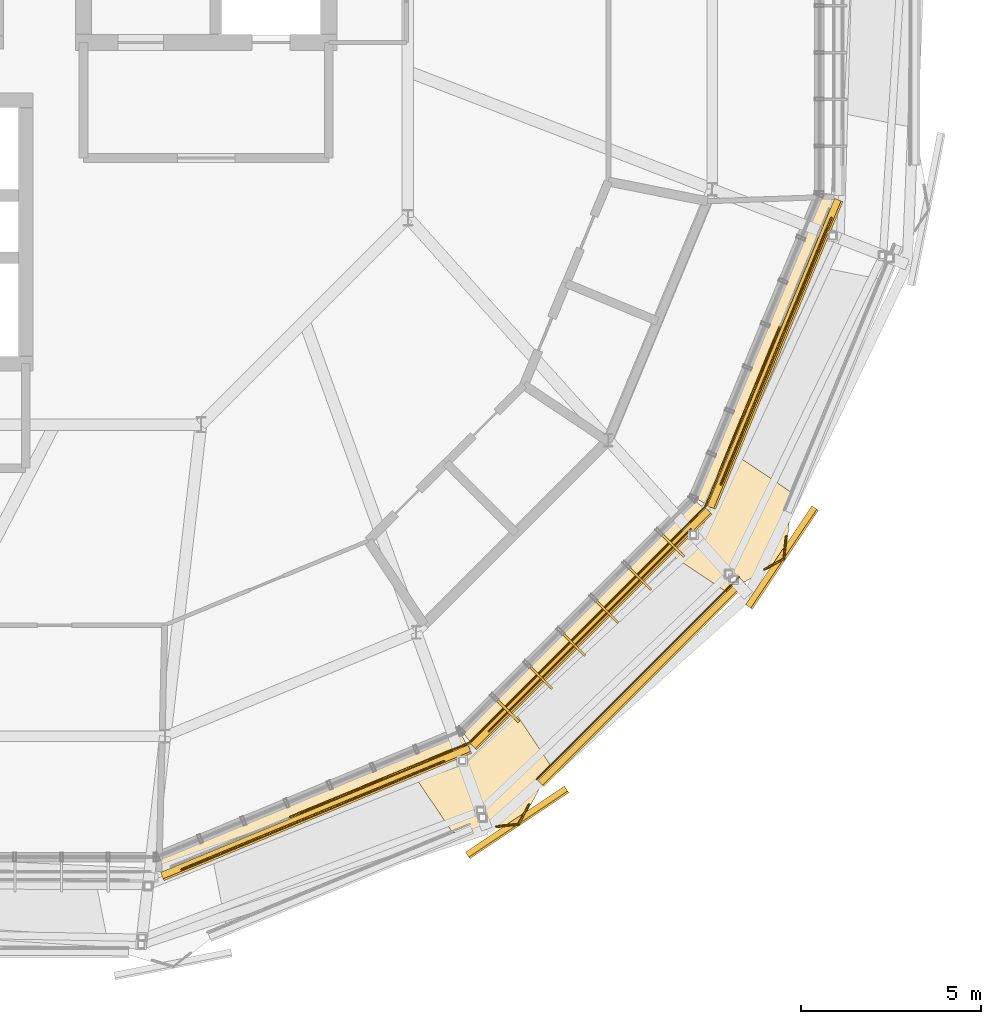
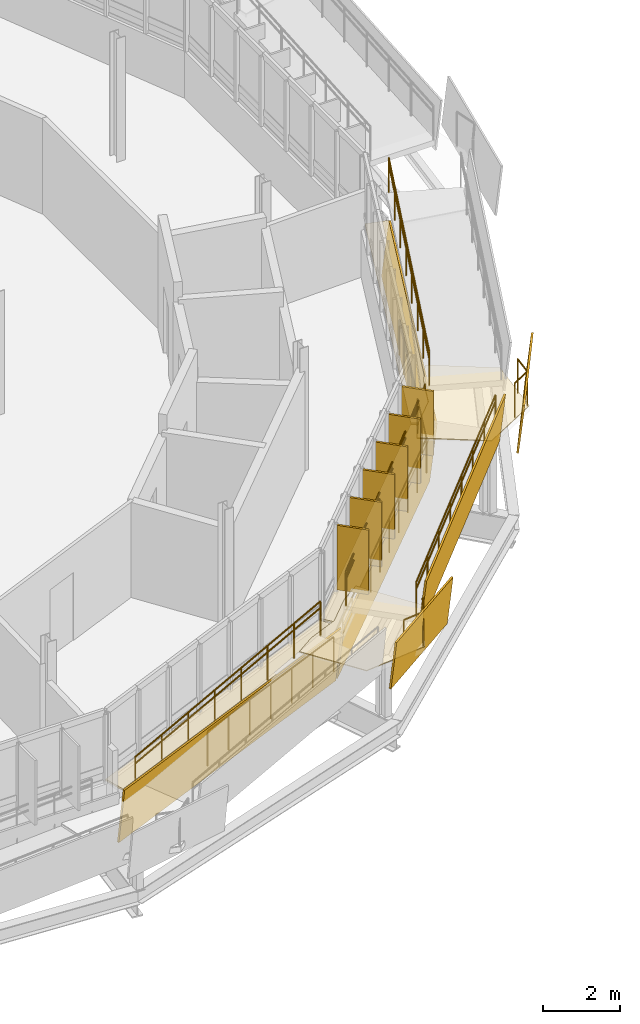
# One storey, part 34 of 38: 23 railings, 11 coverings, 6 shading devices.
"""IFC4 building model written with IfcOpenShell, lengths in metres."""

import ifcopenshell
import ifcopenshell.guid

model = None  # the IFC model being written
_history = None  # IfcOwnerHistory: only IFC2X3 demands one
_inside = {}  # id of a spatial element -> (the spatial element, [elements in it])
_under = {}  # id of a project, library or spatial element -> (it, [spatial elements below it])
_declared = {}  # id of a project -> (the project, [libraries it declares])
_typed = {}  # id of a type object -> (the type object, [elements of that type])
_made_of = {}  # id of a material, layer set ... -> (it, [elements and type objects made of it])


def new_model(schema):
    """Start an empty IFC model of exactly this schema.

    Asked for "IFC4X3", IfcOpenShell would pick the latest addendum, in which some entities
    have other attributes; the version numbers below select the first issue.
    IFC2X3 requires an IfcOwnerHistory on every rooted entity: one is made here for all.
    """
    global model, _history
    if schema == "IFC4X3":
        model = ifcopenshell.file(schema_version=(4, 3, 0, 0))
    else:
        model = ifcopenshell.file(schema=schema)
    _inside.clear()
    _under.clear()
    _declared.clear()
    _typed.clear()
    _made_of.clear()
    _history = None
    if model.schema == "IFC2X3":
        org = make("IfcOrganization", Name="unknown")
        user = make(
            "IfcPersonAndOrganization",
            ThePerson=make("IfcPerson", FamilyName="unknown"),
            TheOrganization=org,
        )
        app = make(
            "IfcApplication",
            ApplicationDeveloper=org,
            Version="unknown",
            ApplicationFullName="unknown",
            ApplicationIdentifier="unknown",
        )
        _history = make(
            "IfcOwnerHistory",
            OwningUser=user,
            OwningApplication=app,
            ChangeAction="ADDED",
            CreationDate=0,
        )
    return model


def make(cls, **values):
    """One entity of the class cls with the attributes given. An attribute that is None is left unset."""
    return model.create_entity(
        cls, **{name: value for name, value in values.items() if value is not None}
    )


def rooted(cls, **values):
    """An entity with a GlobalId (a new one), such as an element, a storey or a relation."""
    return make(cls, GlobalId=ifcopenshell.guid.new(), OwnerHistory=_history, **values)


def si_unit(unit_type, name, prefix=None):
    """IfcSIUnit, for example si_unit("LENGTHUNIT", "METRE", prefix="MILLI")."""
    return make("IfcSIUnit", UnitType=unit_type, Prefix=prefix, Name=name)


def derived_unit(unit_type, elements):
    """IfcDerivedUnit: a product of units, each with its exponent."""
    return make(
        "IfcDerivedUnit",
        Elements=[
            make("IfcDerivedUnitElement", Unit=unit, Exponent=power)
            for unit, power in elements
        ],
        UnitType=unit_type,
    )


def assignment(units):
    """IfcUnitAssignment: the units of a project."""
    return None if units is None else make("IfcUnitAssignment", Units=units)


def point(xyz):
    """IfcCartesianPoint."""
    return None if xyz is None else make("IfcCartesianPoint", Coordinates=xyz)


def direction(xyz):
    """IfcDirection."""
    return None if xyz is None else make("IfcDirection", DirectionRatios=xyz)


def frame(location, z_axis=None, x_axis=None):
    """IfcAxis2Placement3D, a coordinate frame: its origin and axes. An axis left out is left unset."""
    return make(
        "IfcAxis2Placement3D",
        Location=point(location),
        Axis=direction(z_axis),
        RefDirection=direction(x_axis),
    )


def frame_2d(location, x_axis=None):
    """IfcAxis2Placement2D, a coordinate frame in the plane: its origin and x axis."""
    return make(
        "IfcAxis2Placement2D", Location=point(location), RefDirection=direction(x_axis)
    )


def origin():
    """The frame at (0, 0, 0) with its axes left unset."""
    return frame((0.0, 0.0, 0.0))


def origin_2d():
    """The frame at (0, 0) in the plane with its x axis left unset."""
    return frame_2d((0.0, 0.0))


def place(relative_to, where):
    """IfcLocalPlacement: puts the frame where relative to a parent placement (None: the world)."""
    return make(
        "IfcLocalPlacement", PlacementRelTo=relative_to, RelativePlacement=where
    )


def context(
    kind, dimensions, precision=None, world=None, true_north=None, identifier=None
):
    """IfcGeometricRepresentationContext, for example the 3D "Model" context."""
    return make(
        "IfcGeometricRepresentationContext",
        ContextIdentifier=identifier,
        ContextType=kind,
        CoordinateSpaceDimension=dimensions,
        Precision=precision,
        WorldCoordinateSystem=world,
        TrueNorth=true_north,
    )


def subcontext(parent, identifier, kind, view, scale=None):
    """IfcGeometricRepresentationSubContext, for example "Body" below "Model"."""
    return make(
        "IfcGeometricRepresentationSubContext",
        ContextIdentifier=identifier,
        ContextType=kind,
        ParentContext=parent,
        TargetScale=scale,
        TargetView=view,
    )


def project(units=None, contexts=None):
    """IfcProject with its units and contexts."""
    return rooted(
        "IfcProject",
        Name="project",
        RepresentationContexts=contexts,
        UnitsInContext=assignment(units),
    )


def spatial(cls, under=None, at=None, **own):
    """A site, building, storey or space (cls), placed at a placement, below another one or the project."""
    s = rooted(cls, ObjectPlacement=at, **own)
    if under is not None:
        _under.setdefault(under.id(), (under, []))[1].append(s)
    return s


def polyline(points):
    """IfcPolyline through the points."""
    return make("IfcPolyline", Points=[point(p) for p in points])


def profile(cls, at=None, kind="AREA", **sizes):
    """A parametric profile (cls). Its sizes go by their IFC names, for example OverallWidth=200.0."""
    return make(cls, ProfileType=kind, Position=at, **sizes)


def rectangle(**sizes):
    """IfcRectangleProfileDef."""
    return profile("IfcRectangleProfileDef", **sizes)


def circle(**sizes):
    """IfcCircleProfileDef."""
    return profile("IfcCircleProfileDef", **sizes)


def outline(outer, holes=None, kind="AREA"):
    """IfcArbitraryClosedProfileDef: a profile drawn as a closed curve; with holes, ...WithVoids."""
    if holes is None:
        return make("IfcArbitraryClosedProfileDef", ProfileType=kind, OuterCurve=outer)
    return make(
        "IfcArbitraryProfileDefWithVoids",
        ProfileType=kind,
        OuterCurve=outer,
        InnerCurves=holes,
    )


def extrude(swept, where, along, depth):
    """IfcExtrudedAreaSolid: the profile swept, set in the frame where, extruded along a direction by depth."""
    return make(
        "IfcExtrudedAreaSolid",
        SweptArea=swept,
        Position=where,
        ExtrudedDirection=direction(along),
        Depth=depth,
    )


def shape(context_of_items, identifier, shape_type, items):
    """IfcShapeRepresentation: the items that make up one representation, for example the "Body"."""
    return make(
        "IfcShapeRepresentation",
        ContextOfItems=context_of_items,
        RepresentationIdentifier=identifier,
        RepresentationType=shape_type,
        Items=items,
    )


def material(Name=None, Category=None):
    """IfcMaterial."""
    return make("IfcMaterial", Name=Name, Category=Category)


def layer(
    of_material, thickness, ventilated=None, Name=None, Category=None, Priority=None
):
    """IfcMaterialLayer: one layer of a wall or slab, of a material (None: an air gap)."""
    return make(
        "IfcMaterialLayer",
        Material=of_material,
        LayerThickness=thickness,
        IsVentilated=ventilated,
        Name=Name,
        Category=Category,
        Priority=Priority,
    )


def layer_set(layers, Name=None):
    """IfcMaterialLayerSet."""
    return make("IfcMaterialLayerSet", MaterialLayers=layers, LayerSetName=Name)


def made_of(thing, what):
    """Note that an element or type object is made of a material, layer set ...; save() writes the relation."""
    if what is not None:
        _made_of.setdefault(what.id(), (what, []))[1].append(thing)
    return thing


def type_object(cls, material=None, **own):
    """A type object (cls), such as IfcWallType, which elements share."""
    return made_of(rooted(cls, **own), material)


def element(
    cls,
    number,
    at=None,
    inside=None,
    cuts=None,
    type_object=None,
    material=None,
    context=None,
    identifier="Body",
    shape_type=None,
    held_by="IfcProductDefinitionShape",
    body=None,
    shapes=None,
    **own,
):
    """One element of the class cls, such as IfcWall. Its Tag is "e" and its number.

    at: its placement. inside: the storey or other place that contains it. cuts: it is an
    opening in that element (IfcRelVoidsElement). A single representation is given by context,
    identifier, shape_type and body (its items); several are given by shapes. held_by: the class
    of the entity that holds the representations. save() writes the other relations.
    """
    e = rooted(cls, Tag="e%d" % number, ObjectPlacement=at, **own)
    if body is not None:
        shapes = [shape(context, identifier, shape_type, body)]
    if shapes is not None:
        e.Representation = make(held_by, Representations=shapes)
    if inside is not None:
        _inside.setdefault(inside.id(), (inside, []))[1].append(e)
    if cuts is not None:
        rooted(
            "IfcRelVoidsElement", RelatingBuildingElement=cuts, RelatedOpeningElement=e
        )
    if type_object is not None:
        _typed.setdefault(type_object.id(), (type_object, []))[1].append(e)
    return made_of(e, material)


def aggregate(whole, parts):
    """IfcRelAggregates: a whole, such as a stair, and the parts it consists of."""
    return rooted("IfcRelAggregates", RelatingObject=whole, RelatedObjects=parts)


def save(model, path):
    """Write the relations noted so far, then the file.

    IfcRelAggregates (storeys below a building ...), IfcRelContainedInSpatialStructure (elements
    in a storey), IfcRelDefinesByType, IfcRelAssociatesMaterial and IfcRelDeclares: one each for
    every whole, place, type object, material and project.
    """
    for whole, parts in _under.values():
        aggregate(whole, parts)
    for where, things in _inside.values():
        rooted(
            "IfcRelContainedInSpatialStructure",
            RelatedElements=things,
            RelatingStructure=where,
        )
    for kind, things in _typed.values():
        rooted("IfcRelDefinesByType", RelatedObjects=things, RelatingType=kind)
    for what, things in _made_of.values():
        rooted("IfcRelAssociatesMaterial", RelatedObjects=things, RelatingMaterial=what)
    for by, libraries in _declared.values():
        rooted("IfcRelDeclares", RelatingContext=by, RelatedDefinitions=libraries)
    model.write(path)


model = new_model("IFC4")

# Units and contexts
model_context = context("Model", 3, precision=1e-05, world=origin(), true_north=direction((0.0, 1.0)))
body_context = subcontext(model_context, "Body", "Model", "MODEL_VIEW")
ifc_project = project(units=[si_unit("LENGTHUNIT", "METRE"), si_unit("AREAUNIT", "SQUARE_METRE"), si_unit("VOLUMEUNIT", "CUBIC_METRE"), si_unit("PLANEANGLEUNIT", "RADIAN"), si_unit("MASSUNIT", "GRAM", prefix="KILO"), derived_unit("THERMALTRANSMITTANCEUNIT", [(si_unit("MASSUNIT", "GRAM", prefix="KILO"), 1), (si_unit("TIMEUNIT", "SECOND"), -3), (si_unit("THERMODYNAMICTEMPERATUREUNIT", "KELVIN"), -1)])], contexts=[model_context])

# Site, building, storey
site_placement = place(None, origin())
site = spatial("IfcSite", under=ifc_project, at=site_placement, CompositionType="ELEMENT")
building_placement = place(site_placement, origin())
building = spatial("IfcBuilding", under=site, at=building_placement, Name="Makaiwela Harbour Ferry Terminal", CompositionType="ELEMENT")
storey_placement = place(building_placement, frame((0.0, 0.0, 17.699951171875)))
storey = spatial("IfcBuildingStorey", under=building, at=storey_placement, Name="L04", CompositionType="ELEMENT", Elevation=17.699951171875)

# Coverings
ifc_material_1 = material(Name="White glazed marine ceramic rainscreen tile", Category="masonry")
ifc_layer_1 = layer(ifc_material_1, 0.054931640625)
ifc_layer_set_1 = layer_set([ifc_layer_1], Name="White glazed marine ceramic rainscreen tile")
covering_type_1 = type_object("IfcCoveringType", Name="ENV-CLD-CERAMIC", PredefinedType="CLADDING", material=ifc_layer_set_1)
covering_1_placement = place(storey_placement, frame((40.739013671875, 45.3955078125, -0.219970703125), z_axis=(-0.380383324546, 0.918373003577, 0.109085070968), x_axis=(0.923886450321, 0.382666730862, 1.874552e-06)))
element("IfcCovering", 1, at=covering_1_placement, inside=storey, type_object=covering_type_1, Name="Ceramic Spandrel Facet CLD-0119", PredefinedType="CLADDING", context=body_context, shape_type="SweptSolid", body=[
    extrude(outline(polyline([(0.0, 0.0), (9.225832170005638, 5.551115123125783e-17), (9.225824852841562, -1.7504187079172469), (0.0001248165564947762, -1.7504535039226186), (0.0, 0.0)])), origin(), (0.0, 0.0, -1.0), 0.054931640625),
])
covering_2_placement = place(storey_placement, frame((0.0, 0.0, 1.47998046875)))
element("IfcCovering", 2, at=covering_2_placement, inside=storey, type_object=covering_type_1, Name="Ceramic Ring Sill Cap CLD-0120", PredefinedType="CLADDING", context=body_context, shape_type="SweptSolid", body=[
    extrude(outline(polyline([(40.812255859375, 45.218994140625), (49.335693359375, 48.74951171875), (49.022705078125, 49.302001953125), (40.642822265625, 45.8310546875), (40.812255859375, 45.218994140625)])), origin(), (0.0, 0.0, 1.0), 0.05517578125),
])
covering_3_placement = place(storey_placement, frame((49.327392578125, 48.968994140625, -0.219970703125), z_axis=(-0.702890462548, 0.70287731015, 0.109126003021), x_axis=(0.707100086661, 0.707113475648, -1.014907e-06)))
element("IfcCovering", 3, at=covering_3_placement, inside=storey, type_object=covering_type_1, Name="Ceramic Spandrel Facet CLD-0121", PredefinedType="CLADDING", context=body_context, shape_type="SweptSolid", body=[
    extrude(outline(polyline([(0.0, 0.0), (9.225706420500924, 0.0), (9.22587547878554, -1.7504534371835403), (-3.5735724779390495e-06, -1.750434598028112), (0.0, 0.0)])), origin(), (0.0, 0.0, -1.0), 0.054931640625),
])
covering_4_placement = place(storey_placement, frame((0.0, 0.0, 1.47998046875)))
element("IfcCovering", 4, at=covering_4_placement, inside=storey, type_object=covering_type_1, Name="Ceramic Ring Sill Cap CLD-0122", PredefinedType="CLADDING", context=body_context, shape_type="SweptSolid", body=[
    extrude(outline(polyline([(49.46240234375, 48.833984375), (55.986083984375, 55.357666015625), (55.485107421875, 55.74853515625), (49.071533203125, 49.334716796875), (49.46240234375, 48.833984375)])), origin(), (0.0, 0.0, 1.0), 0.05517578125),
])
covering_5_placement = place(storey_placement, frame((55.89404296875, 55.557373046875, -0.219970703125), z_axis=(-0.918361897216, 0.38039187671, 0.109148732814), x_axis=(0.382678270485, 0.923881670615, 5.49365e-07)))
element("IfcCovering", 5, at=covering_5_placement, inside=storey, type_object=covering_type_1, Name="Ceramic Spandrel Facet CLD-0123", PredefinedType="CLADDING", context=body_context, shape_type="SweptSolid", body=[
    extrude(outline(polyline([(0.0, 0.0), (9.225700037596049, 5.551115123125783e-17), (9.225807382656594, -1.7504433133488209), (-0.00011821198794443429, -1.7504535109447228), (0.0, 0.0)])), origin(), (0.0, 0.0, -1.0), 0.054931640625),
])
covering_6_placement = place(storey_placement, frame((0.0, 0.0, 1.47998046875)))
element("IfcCovering", 6, at=covering_6_placement, inside=storey, type_object=covering_type_1, Name="Ceramic Ring Sill Cap CLD-0124", PredefinedType="CLADDING", context=body_context, shape_type="SweptSolid", body=[
    extrude(outline(polyline([(56.070556640625, 55.484130859375), (59.60107421875, 64.0078125), (58.989013671875, 64.17724609375), (55.517822265625, 55.79736328125), (56.070556640625, 55.484130859375)])), origin(), (0.0, 0.0, 1.0), 0.05517578125),
])
covering_7_placement = place(storey_placement, frame((49.188720703125, 45.95751953125, 1.33154296875), z_axis=(-0.552168962914, 0.826451854334, 0.109939842012), x_axis=(0.831492157641, 0.555536490055, 0.0)))
element("IfcCovering", 7, at=covering_7_placement, inside=storey, type_object=covering_type_1, Name="Coiled Ramp Ceramic Fascia CLD-R0066", PredefinedType="CLADDING", context=body_context, shape_type="SweptSolid", body=[
    extrude(outline(polyline([(0.0, 0.0), (3.29996676356022, 0.0), (3.2997977194726817, -1.529289713692023), (-0.0001690440875383309, -1.529289713692023), (0.0, 0.0)])), origin(), (0.0, 0.0, -1.0), 0.054931640625),
])
covering_8_placement = place(storey_placement, frame((51.205810546875, 47.935791015625, 1.33154296875), z_axis=(-0.70825672852, 0.697349666581, 0.109890168013), x_axis=(0.705374503804, 0.705359211023, 0.070108436069)))
element("IfcCovering", 8, at=covering_8_placement, inside=storey, type_object=covering_type_1, Name="Coiled Ramp Ceramic Fascia CLD-R0067", PredefinedType="CLADDING", context=body_context, shape_type="SweptSolid", body=[
    extrude(outline(polyline([(0.0, 0.0), (7.946538771930251, 0.0), (8.053106782318638, -1.5255737855187363), (0.10639579981616927, -1.5255667977385383), (0.0, 0.0)])), origin(), (0.0, 0.0, -1.0), 0.054931640625),
])
covering_9_placement = place(storey_placement, frame((56.956298828125, 52.814208984375, 1.888671875), z_axis=(-0.826432842635, 0.552193027117, 0.109961890748), x_axis=(0.5555617551, 0.831475276998, -3.361633e-06)))
element("IfcCovering", 9, at=covering_9_placement, inside=storey, type_object=covering_type_1, Name="Coiled Ramp Ceramic Fascia CLD-R0068", PredefinedType="CLADDING", context=body_context, shape_type="SweptSolid", body=[
    extrude(outline(polyline([(0.0, 0.0), (3.2999667620181796, 0.0), (3.2999328081747334, -1.5293046273398767), (-0.00016958903756244644, -1.529282304964428), (0.0, 0.0)])), origin(), (0.0, 0.0, -1.0), 0.054931640625),
])

# Shading devices
ifc_material_2 = material(Name="Thermally modified Accoya timber and anodised aluminium", Category="wood")
ifc_layer_2 = layer(ifc_material_2, 0.06005859375)
ifc_layer_set_2 = layer_set([ifc_layer_2], Name="Thermally modified Accoya timber and anodised aluminium")
shading_device_type = type_object("IfcShadingDeviceType", Name="ENV-FIN-850", PredefinedType="USERDEFINED", material=ifc_layer_set_2)
for number, where, z_axis, x_axis, name in (
    (10, (50.3681640625, 49.87060546875, 1.60400390625), (0.0, 0.0, 1.0), (0.707106781187, -0.707106781187, 0.0), "Vertical Solar Fin SFN-0138"),
    (11, (51.284423828125, 50.786865234375, 1.60400390625), (0.0, 0.0, 1.0), (0.707106781187, -0.707106781187, 0.0), "Vertical Solar Fin SFN-0139"),
    (12, (52.20068359375, 51.703125, 1.60400390625), (0.0, 0.0, 1.0), (0.707106781187, -0.707106781187, 0.0), "Vertical Solar Fin SFN-0140"),
    (13, (53.116943359375, 52.619384765625, 1.60400390625), (0.0, 0.0, 1.0), (0.707106781187, -0.707106781187, 0.0), "Vertical Solar Fin SFN-0141"),
    (14, (54.033203125, 53.53564453125, 1.60400390625), (0.0, 0.0, 1.0), (0.707106781187, -0.707106781187, 0.0), "Vertical Solar Fin SFN-0142"),
    (15, (54.949462890625, 54.451904296875, 1.60400390625), (0.0, 0.0, 1.0), (0.707106781187, -0.707106781187, 0.0), "Vertical Solar Fin SFN-0143"),
):
    element("IfcShadingDevice", number, at=place(storey_placement, frame(where, z_axis=z_axis, x_axis=x_axis)), inside=storey, type_object=shading_device_type, Name=name, ObjectType="SOLAR FIN", PredefinedType="USERDEFINED", context=body_context, shape_type="SweptSolid", body=[
        extrude(rectangle(XDim=0.85009765625, YDim=0.06005859375, at=origin_2d()), origin(), (0.0, 0.0, 1.0), 2.0400390625),
    ])

# Coverings
ifc_material_3 = material(Name="Honed coral-aggregate epoxy terrazzo flooring", Category="concrete")
ifc_layer_3 = layer(ifc_material_3, 0.02490234375)
ifc_layer_set_3 = layer_set([ifc_layer_3], Name="Honed coral-aggregate epoxy terrazzo flooring")
covering_type_2 = type_object("IfcCoveringType", Name="INT-COV-FLR", PredefinedType="FLOORING", material=ifc_layer_set_3)
covering_10_placement = place(storey_placement, frame((0.0, 0.0, 1.67138671875)))
element("IfcCovering", 16, at=covering_10_placement, inside=storey, type_object=covering_type_2, Name="Ramp Landing Terrazzo RMP-COIL-L04-L3", PredefinedType="FLOORING", context=body_context, shape_type="SweptSolid", body=[
    extrude(outline(polyline([(49.92578125, 49.561279296875), (49.230224609375, 48.86572265625), (49.230224609375, 48.865478515625), (49.22998046875, 48.865478515625), (49.229736328125, 48.865234375), (49.229736328125, 48.865234375), (48.320556640625, 48.48876953125), (47.75146484375, 48.1083984375), (48.8291015625, 46.495361328125), (50.6845703125, 46.688720703125), (51.572998046875, 48.32861328125), (50.495361328125, 49.941650390625), (49.92578125, 49.561279296875)])), origin(), (0.0, 0.0, 1.0), 0.025146484375),
])
covering_11_placement = place(storey_placement, frame((0.0, 0.0, 2.228759765625)))
element("IfcCovering", 17, at=covering_11_placement, inside=storey, type_object=covering_type_2, Name="Ramp Landing Terrazzo RMP-COIL-L04-L4", PredefinedType="FLOORING", context=body_context, shape_type="SweptSolid", body=[
    extrude(outline(polyline([(56.25830078125, 56.426025390625), (55.881591796875, 55.516845703125), (55.881591796875, 55.516845703125), (55.881591796875, 55.5166015625), (55.88134765625, 55.516357421875), (55.88134765625, 55.516357421875), (55.185302734375, 54.8203125), (54.80517578125, 54.25146484375), (56.418212890625, 53.173583984375), (58.058349609375, 54.06201171875), (58.251708984375, 55.91748046875), (56.638671875, 56.9951171875), (56.25830078125, 56.426025390625)])), origin(), (0.0, 0.0, 1.0), 0.02490234375),
])

# Railings
ifc_material_4 = material(Name="Marine grade 316L brushed stainless steel", Category="steel")
railing_type_1 = type_object("IfcRailingType", Name="INT-RL-GRD110", PredefinedType="GUARDRAIL", material=ifc_material_4)
railing_1_placement = place(storey_placement, frame((41.32373046875, 45.4765625, 1.1142578125)))
element("IfcRailing", 18, at=railing_1_placement, inside=storey, type_object=railing_type_1, Name="Ramp guardrail RL-0225", PredefinedType="GUARDRAIL", context=body_context, shape_type="SweptSolid", body=[
    extrude(circle(Radius=0.02392578125, at=origin_2d()), frame((0.0, 0.0, 1.09619140625), z_axis=(0.922088825557, 0.380468883583, 0.070679745387), x_axis=(-0.381422799331, 0.924400696749, 0.0)), (0.0, 0.0, 1.0), 7.88232421875),
    extrude(circle(Radius=0.02099609375, at=origin_2d()), origin(), (0.0, 0.0, 1.0), 1.072021484375),
    extrude(circle(Radius=0.02099609375, at=origin_2d()), frame((1.038330078125, 0.428466796875, 0.07958984375)), (0.0, 0.0, 1.0), 1.072021484375),
    extrude(circle(Radius=0.02099609375, at=origin_2d()), frame((2.07666015625, 0.85693359375, 0.1591796875)), (0.0, 0.0, 1.0), 1.072021484375),
    extrude(circle(Radius=0.02099609375, at=origin_2d()), frame((3.114990234375, 1.285400390625, 0.23876953125)), (0.0, 0.0, 1.0), 1.072021484375),
    extrude(circle(Radius=0.02099609375, at=origin_2d()), frame((4.1533203125, 1.713623046875, 0.318359375)), (0.0, 0.0, 1.0), 1.072021484375),
    extrude(circle(Radius=0.02099609375, at=origin_2d()), frame((5.191650390625, 2.14208984375, 0.39794921875)), (0.0, 0.0, 1.0), 1.072021484375),
    extrude(circle(Radius=0.02099609375, at=origin_2d()), frame((6.22998046875, 2.570556640625, 0.4775390625)), (0.0, 0.0, 1.0), 1.072021484375),
    extrude(circle(Radius=0.02099609375, at=origin_2d()), frame((7.268310546875, 2.9990234375, 0.55712890625)), (0.0, 0.0, 1.0), 1.072021484375),
])
for number, where, name in (
    (19, (49.8359375, 49.305419921875, 1.67138671875), "Ramp guardrail RL-0229"),
    (20, (51.165283203125, 47.97607421875, 1.67138671875), "Ramp guardrail RL-0231"),
):
    element("IfcRailing", number, at=place(storey_placement, frame(where)), inside=storey, type_object=railing_type_1, Name=name, PredefinedType="GUARDRAIL", context=body_context, shape_type="SweptSolid", body=[
        extrude(circle(Radius=0.02392578125, at=origin_2d()), frame((0.0, 0.0, 1.09619140625), z_axis=(0.705380714853, 0.705349992697, 0.07013868345), x_axis=(-0.707091382017, 0.707122180021, 0.0)), (0.0, 0.0, 1.0), 7.94677734375),
        extrude(circle(Radius=0.02099609375, at=origin_2d()), origin(), (0.0, 0.0, 1.0), 1.072021484375),
        extrude(circle(Radius=0.02099609375, at=origin_2d()), frame((0.80078125, 0.80078125, 0.07958984375)), (0.0, 0.0, 1.0), 1.072021484375),
        extrude(circle(Radius=0.02099609375, at=origin_2d()), frame((1.6015625, 1.6015625, 0.1591796875)), (0.0, 0.0, 1.0), 1.072021484375),
        extrude(circle(Radius=0.02099609375, at=origin_2d()), frame((2.40234375, 2.40234375, 0.23876953125)), (0.0, 0.0, 1.0), 1.072021484375),
        extrude(circle(Radius=0.02099609375, at=origin_2d()), frame((3.203125, 3.202880859375, 0.318603515625)), (0.0, 0.0, 1.0), 1.072021484375),
        extrude(circle(Radius=0.02099609375, at=origin_2d()), frame((4.00390625, 4.003662109375, 0.398193359375)), (0.0, 0.0, 1.0), 1.072021484375),
        extrude(circle(Radius=0.02099609375, at=origin_2d()), frame((4.8046875, 4.804443359375, 0.477783203125)), (0.0, 0.0, 1.0), 1.072021484375),
        extrude(circle(Radius=0.02099609375, at=origin_2d()), frame((5.60546875, 5.605224609375, 0.557373046875)), (0.0, 0.0, 1.0), 1.072021484375),
    ])
railing_2_placement = place(storey_placement, frame((56.273193359375, 56.155029296875, 2.228759765625)))
element("IfcRailing", 21, at=railing_2_placement, inside=storey, type_object=railing_type_1, Name="Ramp guardrail RL-0233", PredefinedType="GUARDRAIL", context=body_context, shape_type="SweptSolid", body=[
    extrude(circle(Radius=0.02392578125, at=origin_2d()), frame((0.0, 0.0, 1.09619140625), z_axis=(0.381748488929, 0.921649923271, 0.069494677035), x_axis=(-0.923883575944, 0.382673670509, 0.0)), (0.0, 0.0, 1.0), 8.013427734375),
    extrude(circle(Radius=0.02099609375, at=origin_2d()), origin(), (0.0, 0.0, 1.0), 1.072021484375),
    extrude(circle(Radius=0.02099609375, at=origin_2d()), frame((0.43701171875, 1.05517578125, 0.07958984375)), (0.0, 0.0, 1.0), 1.072021484375),
    extrude(circle(Radius=0.02099609375, at=origin_2d()), frame((0.8740234375, 2.110107421875, 0.1591796875)), (0.0, 0.0, 1.0), 1.072021484375),
    extrude(circle(Radius=0.02099609375, at=origin_2d()), frame((1.31103515625, 3.165283203125, 0.23876953125)), (0.0, 0.0, 1.0), 1.072021484375),
    extrude(circle(Radius=0.02099609375, at=origin_2d()), frame((1.748046875, 4.22021484375, 0.318115234375)), (0.0, 0.0, 1.0), 1.072021484375),
    extrude(circle(Radius=0.02099609375, at=origin_2d()), frame((2.18505859375, 5.275390625, 0.397705078125)), (0.0, 0.0, 1.0), 1.072021484375),
    extrude(circle(Radius=0.02099609375, at=origin_2d()), frame((2.6220703125, 6.330322265625, 0.477294921875)), (0.0, 0.0, 1.0), 1.072021484375),
    extrude(circle(Radius=0.02099609375, at=origin_2d()), frame((3.05908203125, 7.385498046875, 0.556884765625)), (0.0, 0.0, 1.0), 1.072021484375),
])
railing_3_placement = place(storey_placement, frame((57.896484375, 60.50390625, 0.0)))
element("IfcRailing", 22, at=railing_3_placement, inside=storey, type_object=railing_type_1, Name="Deck edge guardrail RL-0804", PredefinedType="GUARDRAIL", context=body_context, shape_type="SweptSolid", body=[
    extrude(circle(Radius=0.02392578125, at=origin_2d()), frame((0.0, 0.0, 1.09619140625), z_axis=(-0.382657128341, -0.923890427556, 0.0), x_axis=(0.923890427556, -0.382657128341, 0.0)), (0.0, 0.0, 1.0), 1.7890625),
    extrude(circle(Radius=0.02099609375, at=origin_2d()), origin(), (0.0, 0.0, 1.0), 1.072021484375),
    extrude(circle(Radius=0.02099609375, at=origin_2d()), frame((-0.34228515625, -0.826416015625, 0.0)), (0.0, 0.0, 1.0), 1.072021484375),
    extrude(circle(Radius=0.02099609375, at=origin_2d()), frame((-0.6845703125, -1.65283203125, 0.0)), (0.0, 0.0, 1.0), 1.072021484375),
])
railing_4_placement = place(storey_placement, frame((57.2119140625, 58.85107421875, 0.0)))
element("IfcRailing", 23, at=railing_4_placement, inside=storey, type_object=railing_type_1, Name="Deck edge guardrail RL-0805", PredefinedType="GUARDRAIL", context=body_context, shape_type="SweptSolid", body=[
    extrude(circle(Radius=0.02392578125, at=origin_2d()), frame((0.0, 0.0, 1.09619140625), z_axis=(-0.38272535478, -0.923862166564, 0.0), x_axis=(0.923862166564, -0.38272535478, 0.0)), (0.0, 0.0, 1.0), 1.789306640625),
    extrude(circle(Radius=0.02099609375, at=origin_2d()), origin(), (0.0, 0.0, 1.0), 1.072021484375),
    extrude(circle(Radius=0.02099609375, at=origin_2d()), frame((-0.34228515625, -0.82666015625, 0.0)), (0.0, 0.0, 1.0), 1.072021484375),
    extrude(circle(Radius=0.02099609375, at=origin_2d()), frame((-0.684814453125, -1.653076171875, 0.0)), (0.0, 0.0, 1.0), 1.072021484375),
])
railing_5_placement = place(storey_placement, frame((56.527099609375, 57.197998046875, 0.0)))
element("IfcRailing", 24, at=railing_5_placement, inside=storey, type_object=railing_type_1, Name="Deck edge guardrail RL-0806", PredefinedType="GUARDRAIL", context=body_context, shape_type="SweptSolid", body=[
    extrude(circle(Radius=0.02392578125, at=origin_2d()), frame((0.0, 0.0, 1.09619140625), z_axis=(-0.382657128341, -0.923890427556, 0.0), x_axis=(0.923890427556, -0.382657128341, 0.0)), (0.0, 0.0, 1.0), 1.7890625),
    extrude(circle(Radius=0.02099609375, at=origin_2d()), origin(), (0.0, 0.0, 1.0), 1.072021484375),
    extrude(circle(Radius=0.02099609375, at=origin_2d()), frame((-0.34228515625, -0.826416015625, 0.0)), (0.0, 0.0, 1.0), 1.072021484375),
    extrude(circle(Radius=0.02099609375, at=origin_2d()), frame((-0.6845703125, -1.65283203125, 0.0)), (0.0, 0.0, 1.0), 1.072021484375),
])
railing_6_placement = place(storey_placement, frame((55.842529296875, 55.545166015625, 0.0)))
element("IfcRailing", 25, at=railing_6_placement, inside=storey, type_object=railing_type_1, Name="Deck edge guardrail RL-0807", PredefinedType="GUARDRAIL", context=body_context, shape_type="SweptSolid", body=[
    extrude(circle(Radius=0.02392578125, at=origin_2d()), frame((0.0, 0.0, 1.09619140625), z_axis=(-0.70717248827, -0.707041067997, 0.0), x_axis=(0.707041067997, -0.70717248827, 0.0)), (0.0, 0.0, 1.0), 1.857666015625),
    extrude(circle(Radius=0.02099609375, at=origin_2d()), origin(), (0.0, 0.0, 1.0), 1.072021484375),
    extrude(circle(Radius=0.02099609375, at=origin_2d()), frame((-0.65673828125, -0.65673828125, 0.0)), (0.0, 0.0, 1.0), 1.072021484375),
    extrude(circle(Radius=0.02099609375, at=origin_2d()), frame((-1.313720703125, -1.3134765625, 0.0)), (0.0, 0.0, 1.0), 1.072021484375),
])
railing_7_placement = place(storey_placement, frame((54.52880859375, 54.231689453125, 0.0)))
element("IfcRailing", 26, at=railing_7_placement, inside=storey, type_object=railing_type_1, Name="Deck edge guardrail RL-0808", PredefinedType="GUARDRAIL", context=body_context, shape_type="SweptSolid", body=[
    extrude(circle(Radius=0.02392578125, at=origin_2d()), frame((0.0, 0.0, 1.09619140625), z_axis=(-0.707106781187, -0.707106781187, 0.0), x_axis=(0.707106781187, -0.707106781187, 0.0)), (0.0, 0.0, 1.0), 1.857421875),
    extrude(circle(Radius=0.02099609375, at=origin_2d()), origin(), (0.0, 0.0, 1.0), 1.072021484375),
    extrude(circle(Radius=0.02099609375, at=origin_2d()), frame((-0.65673828125, -0.65673828125, 0.0)), (0.0, 0.0, 1.0), 1.072021484375),
    extrude(circle(Radius=0.02099609375, at=origin_2d()), frame((-1.3134765625, -1.3134765625, 0.0)), (0.0, 0.0, 1.0), 1.072021484375),
])
railing_8_placement = place(storey_placement, frame((53.21533203125, 52.918212890625, 0.0)))
element("IfcRailing", 27, at=railing_8_placement, inside=storey, type_object=railing_type_1, Name="Deck edge guardrail RL-0809", PredefinedType="GUARDRAIL", context=body_context, shape_type="SweptSolid", body=[
    extrude(circle(Radius=0.02392578125, at=origin_2d()), frame((0.0, 0.0, 1.09619140625), z_axis=(-0.707041067997, -0.70717248827, 0.0), x_axis=(0.70717248827, -0.707041067997, 0.0)), (0.0, 0.0, 1.0), 1.857666015625),
    extrude(circle(Radius=0.02099609375, at=origin_2d()), origin(), (0.0, 0.0, 1.0), 1.072021484375),
    extrude(circle(Radius=0.02099609375, at=origin_2d()), frame((-0.65673828125, -0.65673828125, 0.0)), (0.0, 0.0, 1.0), 1.072021484375),
    extrude(circle(Radius=0.02099609375, at=origin_2d()), frame((-1.3134765625, -1.313720703125, 0.0)), (0.0, 0.0, 1.0), 1.072021484375),
])
for number, where, name in (
    (28, (51.90185546875, 51.6044921875, 0.0), "Deck edge guardrail RL-0810"),
    (29, (50.58837890625, 50.291015625, 0.0), "Deck edge guardrail RL-0811"),
):
    element("IfcRailing", number, at=place(storey_placement, frame(where)), inside=storey, type_object=railing_type_1, Name=name, PredefinedType="GUARDRAIL", context=body_context, shape_type="SweptSolid", body=[
        extrude(circle(Radius=0.02392578125, at=origin_2d()), frame((0.0, 0.0, 1.09619140625), z_axis=(-0.707106781187, -0.707106781187, 0.0), x_axis=(0.707106781187, -0.707106781187, 0.0)), (0.0, 0.0, 1.0), 1.857421875),
        extrude(circle(Radius=0.02099609375, at=origin_2d()), origin(), (0.0, 0.0, 1.0), 1.072021484375),
        extrude(circle(Radius=0.02099609375, at=origin_2d()), frame((-0.65673828125, -0.65673828125, 0.0)), (0.0, 0.0, 1.0), 1.072021484375),
        extrude(circle(Radius=0.02099609375, at=origin_2d()), frame((-1.3134765625, -1.3134765625, 0.0)), (0.0, 0.0, 1.0), 1.072021484375),
    ])
railing_9_placement = place(storey_placement, frame((49.27490234375, 48.9775390625, 0.0)))
element("IfcRailing", 30, at=railing_9_placement, inside=storey, type_object=railing_type_1, Name="Deck edge guardrail RL-0812", PredefinedType="GUARDRAIL", context=body_context, shape_type="SweptSolid", body=[
    extrude(circle(Radius=0.02392578125, at=origin_2d()), frame((0.0, 0.0, 1.09619140625), z_axis=(-0.923875286858, -0.382693682119, 0.0), x_axis=(0.382693682119, -0.923875286858, 0.0)), (0.0, 0.0, 1.0), 1.786865234375),
    extrude(circle(Radius=0.02099609375, at=origin_2d()), origin(), (0.0, 0.0, 1.0), 1.072021484375),
    extrude(circle(Radius=0.02099609375, at=origin_2d()), frame((-0.825439453125, -0.341796875, 0.0)), (0.0, 0.0, 1.0), 1.072021484375),
    extrude(circle(Radius=0.02099609375, at=origin_2d()), frame((-1.65087890625, -0.683837890625, 0.0)), (0.0, 0.0, 1.0), 1.072021484375),
])
railing_10_placement = place(storey_placement, frame((47.6240234375, 48.293701171875, 0.0)))
element("IfcRailing", 31, at=railing_10_placement, inside=storey, type_object=railing_type_1, Name="Deck edge guardrail RL-0813", PredefinedType="GUARDRAIL", context=body_context, shape_type="SweptSolid", body=[
    extrude(circle(Radius=0.02392578125, at=origin_2d()), frame((0.0, 0.0, 1.09619140625), z_axis=(-0.923903585869, -0.38262535726, 0.0), x_axis=(0.38262535726, -0.923903585869, 0.0)), (0.0, 0.0, 1.0), 1.78662109375),
    extrude(circle(Radius=0.02099609375, at=origin_2d()), origin(), (0.0, 0.0, 1.0), 1.072021484375),
    extrude(circle(Radius=0.02099609375, at=origin_2d()), frame((-0.8251953125, -0.341796875, 0.0)), (0.0, 0.0, 1.0), 1.072021484375),
    extrude(circle(Radius=0.02099609375, at=origin_2d()), frame((-1.650634765625, -0.68359375, 0.0)), (0.0, 0.0, 1.0), 1.072021484375),
])
railing_11_placement = place(storey_placement, frame((45.973388671875, 47.610107421875, 0.0)))
element("IfcRailing", 32, at=railing_11_placement, inside=storey, type_object=railing_type_1, Name="Deck edge guardrail RL-0814", PredefinedType="GUARDRAIL", context=body_context, shape_type="SweptSolid", body=[
    extrude(circle(Radius=0.02392578125, at=origin_2d()), frame((0.0, 0.0, 1.09619140625), z_axis=(-0.923875286858, -0.382693682119, 0.0), x_axis=(0.382693682119, -0.923875286858, 0.0)), (0.0, 0.0, 1.0), 1.786865234375),
    extrude(circle(Radius=0.02099609375, at=origin_2d()), origin(), (0.0, 0.0, 1.0), 1.072021484375),
    extrude(circle(Radius=0.02099609375, at=origin_2d()), frame((-0.825439453125, -0.341796875, 0.0)), (0.0, 0.0, 1.0), 1.072021484375),
    extrude(circle(Radius=0.02099609375, at=origin_2d()), frame((-1.65087890625, -0.683837890625, 0.0)), (0.0, 0.0, 1.0), 1.072021484375),
])
railing_12_placement = place(storey_placement, frame((50.95068359375, 47.274169921875, 1.67138671875)))
element("IfcRailing", 33, at=railing_12_placement, inside=storey, type_object=railing_type_1, Name="Deck edge guardrail RL-0833", PredefinedType="GUARDRAIL", context=body_context, shape_type="SweptSolid", body=[
    extrude(circle(Radius=0.02392578125, at=origin_2d()), frame((0.0, 0.0, 1.09619140625), z_axis=(-0.476524980994, -0.879160930938, 0.0), x_axis=(0.879160930938, -0.476524980994, 0.0)), (0.0, 0.0, 1.0), 0.617919921875),
    extrude(circle(Radius=0.02099609375, at=origin_2d()), origin(), (0.0, 0.0, 1.0), 1.072021484375),
    extrude(circle(Radius=0.02099609375, at=origin_2d()), frame((-0.29443359375, -0.543212890625, 0.0)), (0.0, 0.0, 1.0), 1.072021484375),
])
railing_13_placement = place(storey_placement, frame((50.65625, 46.73095703125, 1.67138671875)))
element("IfcRailing", 34, at=railing_13_placement, inside=storey, type_object=railing_type_1, Name="Deck edge guardrail RL-0834", PredefinedType="GUARDRAIL", context=body_context, shape_type="SweptSolid", body=[
    extrude(circle(Radius=0.02392578125, at=origin_2d()), frame((0.0, 0.0, 1.09619140625), z_axis=(-0.994619254518, -0.103597965916, 0.0), x_axis=(0.103597965916, -0.994619254518, 0.0)), (0.0, 0.0, 1.0), 0.619873046875),
    extrude(circle(Radius=0.02099609375, at=origin_2d()), origin(), (0.0, 0.0, 1.0), 1.072021484375),
    extrude(circle(Radius=0.02099609375, at=origin_2d()), frame((-0.616455078125, -0.064208984375, 0.0)), (0.0, 0.0, 1.0), 1.072021484375),
])
railing_14_placement = place(storey_placement, frame((58.080078125, 54.705078125, 2.228759765625)))
element("IfcRailing", 35, at=railing_14_placement, inside=storey, type_object=railing_type_1, Name="Deck edge guardrail RL-0835", PredefinedType="GUARDRAIL", context=body_context, shape_type="SweptSolid", body=[
    extrude(circle(Radius=0.02392578125, at=origin_2d()), frame((0.0, 0.0, 1.09619140625), z_axis=(-0.103492109594, -0.994630274651, 0.0), x_axis=(0.994630274651, -0.103492109594, 0.0)), (0.0, 0.0, 1.0), 0.6181640625),
    extrude(circle(Radius=0.02099609375, at=origin_2d()), origin(), (0.0, 0.0, 1.0), 1.072021484375),
    extrude(circle(Radius=0.02099609375, at=origin_2d()), frame((-0.06396484375, -0.61474609375, 0.0)), (0.0, 0.0, 1.0), 1.072021484375),
])
railing_15_placement = place(storey_placement, frame((58.01611328125, 54.09033203125, 2.228759765625)))
element("IfcRailing", 36, at=railing_15_placement, inside=storey, type_object=railing_type_1, Name="Deck edge guardrail RL-0836", PredefinedType="GUARDRAIL", context=body_context, shape_type="SweptSolid", body=[
    extrude(circle(Radius=0.02392578125, at=origin_2d()), frame((0.0, 0.0, 1.09619140625), z_axis=(-0.87925060843, -0.476359494055, 0.0), x_axis=(0.476359494055, -0.87925060843, 0.0)), (0.0, 0.0, 1.0), 0.6181640625),
    extrude(circle(Radius=0.02099609375, at=origin_2d()), origin(), (0.0, 0.0, 1.0), 1.072021484375),
    extrude(circle(Radius=0.02099609375, at=origin_2d()), frame((-0.54345703125, -0.29443359375, 0.0)), (0.0, 0.0, 1.0), 1.072021484375),
])
railing_type_2 = type_object("IfcRailingType", Name="INT-RL-HND090", PredefinedType="HANDRAIL", material=ifc_material_4)
railing_16_placement = place(storey_placement, frame((41.32373046875, 45.4765625, 1.1142578125)))
element("IfcRailing", 37, at=railing_16_placement, inside=storey, type_object=railing_type_2, Name="Ramp handrail RL-0226", PredefinedType="HANDRAIL", context=body_context, shape_type="SweptSolid", body=[
    extrude(circle(Radius=0.02392578125, at=origin_2d()), frame((0.0, 0.0, 0.89111328125), z_axis=(0.922088825557, 0.380468883583, 0.070679745387), x_axis=(-0.381422799331, 0.924400696749, 0.0)), (0.0, 0.0, 1.0), 7.88232421875),
    extrude(circle(Radius=0.02099609375, at=origin_2d()), origin(), (0.0, 0.0, 1.0), 0.866943359375),
    extrude(circle(Radius=0.02099609375, at=origin_2d()), frame((1.038330078125, 0.428466796875, 0.07958984375)), (0.0, 0.0, 1.0), 0.866943359375),
    extrude(circle(Radius=0.02099609375, at=origin_2d()), frame((2.07666015625, 0.85693359375, 0.1591796875)), (0.0, 0.0, 1.0), 0.866943359375),
    extrude(circle(Radius=0.02099609375, at=origin_2d()), frame((3.114990234375, 1.285400390625, 0.23876953125)), (0.0, 0.0, 1.0), 0.866943359375),
    extrude(circle(Radius=0.02099609375, at=origin_2d()), frame((4.1533203125, 1.713623046875, 0.318359375)), (0.0, 0.0, 1.0), 0.866943359375),
    extrude(circle(Radius=0.02099609375, at=origin_2d()), frame((5.191650390625, 2.14208984375, 0.39794921875)), (0.0, 0.0, 1.0), 0.866943359375),
    extrude(circle(Radius=0.02099609375, at=origin_2d()), frame((6.22998046875, 2.570556640625, 0.4775390625)), (0.0, 0.0, 1.0), 0.866943359375),
    extrude(circle(Radius=0.02099609375, at=origin_2d()), frame((7.268310546875, 2.9990234375, 0.55712890625)), (0.0, 0.0, 1.0), 0.866943359375),
])
for number, where, name in (
    (38, (49.8359375, 49.305419921875, 1.67138671875), "Ramp handrail RL-0230"),
    (39, (51.165283203125, 47.97607421875, 1.67138671875), "Ramp handrail RL-0232"),
):
    element("IfcRailing", number, at=place(storey_placement, frame(where)), inside=storey, type_object=railing_type_2, Name=name, PredefinedType="HANDRAIL", context=body_context, shape_type="SweptSolid", body=[
        extrude(circle(Radius=0.02392578125, at=origin_2d()), frame((0.0, 0.0, 0.89111328125), z_axis=(0.705380714853, 0.705349992697, 0.07013868345), x_axis=(-0.707091382017, 0.707122180021, 0.0)), (0.0, 0.0, 1.0), 7.94677734375),
        extrude(circle(Radius=0.02099609375, at=origin_2d()), origin(), (0.0, 0.0, 1.0), 0.866943359375),
        extrude(circle(Radius=0.02099609375, at=origin_2d()), frame((0.80078125, 0.80078125, 0.07958984375)), (0.0, 0.0, 1.0), 0.866943359375),
        extrude(circle(Radius=0.02099609375, at=origin_2d()), frame((1.6015625, 1.6015625, 0.1591796875)), (0.0, 0.0, 1.0), 0.866943359375),
        extrude(circle(Radius=0.02099609375, at=origin_2d()), frame((2.40234375, 2.40234375, 0.23876953125)), (0.0, 0.0, 1.0), 0.866943359375),
        extrude(circle(Radius=0.02099609375, at=origin_2d()), frame((3.203125, 3.202880859375, 0.318603515625)), (0.0, 0.0, 1.0), 0.866943359375),
        extrude(circle(Radius=0.02099609375, at=origin_2d()), frame((4.00390625, 4.003662109375, 0.398193359375)), (0.0, 0.0, 1.0), 0.866943359375),
        extrude(circle(Radius=0.02099609375, at=origin_2d()), frame((4.8046875, 4.804443359375, 0.477783203125)), (0.0, 0.0, 1.0), 0.866943359375),
        extrude(circle(Radius=0.02099609375, at=origin_2d()), frame((5.60546875, 5.605224609375, 0.557373046875)), (0.0, 0.0, 1.0), 0.866943359375),
    ])
railing_17_placement = place(storey_placement, frame((56.273193359375, 56.155029296875, 2.228759765625)))
element("IfcRailing", 40, at=railing_17_placement, inside=storey, type_object=railing_type_2, Name="Ramp handrail RL-0234", PredefinedType="HANDRAIL", context=body_context, shape_type="SweptSolid", body=[
    extrude(circle(Radius=0.02392578125, at=origin_2d()), frame((0.0, 0.0, 0.89111328125), z_axis=(0.381748488929, 0.921649923271, 0.069494677035), x_axis=(-0.923883575944, 0.382673670509, 0.0)), (0.0, 0.0, 1.0), 8.013427734375),
    extrude(circle(Radius=0.02099609375, at=origin_2d()), origin(), (0.0, 0.0, 1.0), 0.866943359375),
    extrude(circle(Radius=0.02099609375, at=origin_2d()), frame((0.43701171875, 1.05517578125, 0.07958984375)), (0.0, 0.0, 1.0), 0.866943359375),
    extrude(circle(Radius=0.02099609375, at=origin_2d()), frame((0.8740234375, 2.110107421875, 0.1591796875)), (0.0, 0.0, 1.0), 0.866943359375),
    extrude(circle(Radius=0.02099609375, at=origin_2d()), frame((1.31103515625, 3.165283203125, 0.23876953125)), (0.0, 0.0, 1.0), 0.866943359375),
    extrude(circle(Radius=0.02099609375, at=origin_2d()), frame((1.748046875, 4.22021484375, 0.318115234375)), (0.0, 0.0, 1.0), 0.866943359375),
    extrude(circle(Radius=0.02099609375, at=origin_2d()), frame((2.18505859375, 5.275390625, 0.397705078125)), (0.0, 0.0, 1.0), 0.866943359375),
    extrude(circle(Radius=0.02099609375, at=origin_2d()), frame((2.6220703125, 6.330322265625, 0.477294921875)), (0.0, 0.0, 1.0), 0.866943359375),
    extrude(circle(Radius=0.02099609375, at=origin_2d()), frame((3.05908203125, 7.385498046875, 0.556884765625)), (0.0, 0.0, 1.0), 0.866943359375),
])

save(model, "model.ifc")
